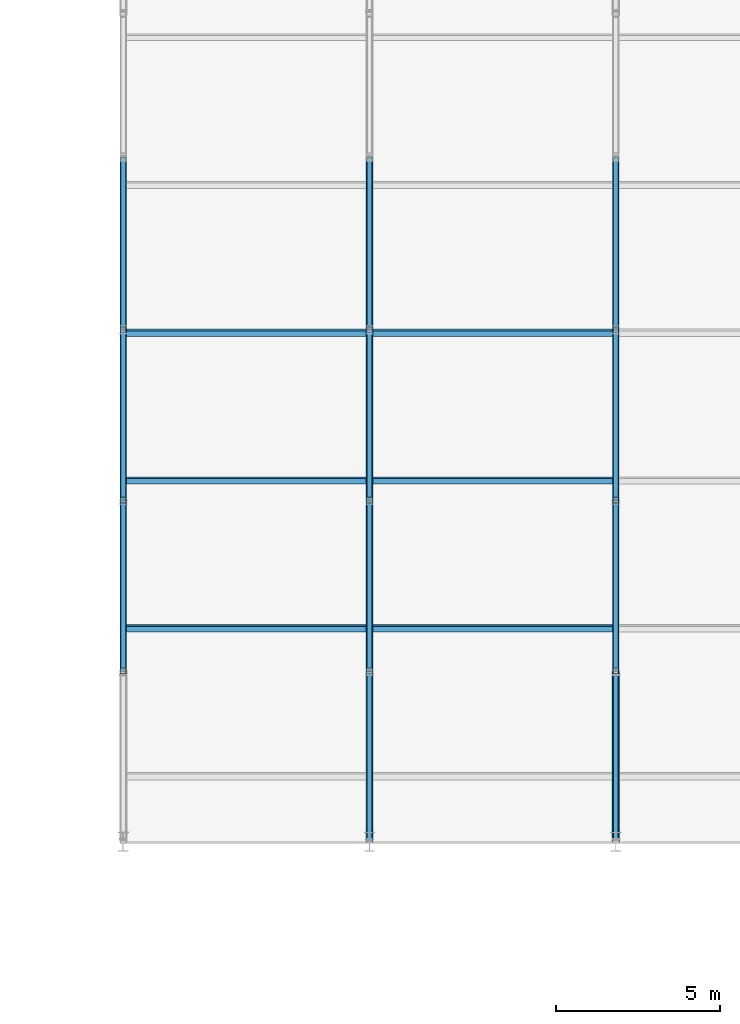
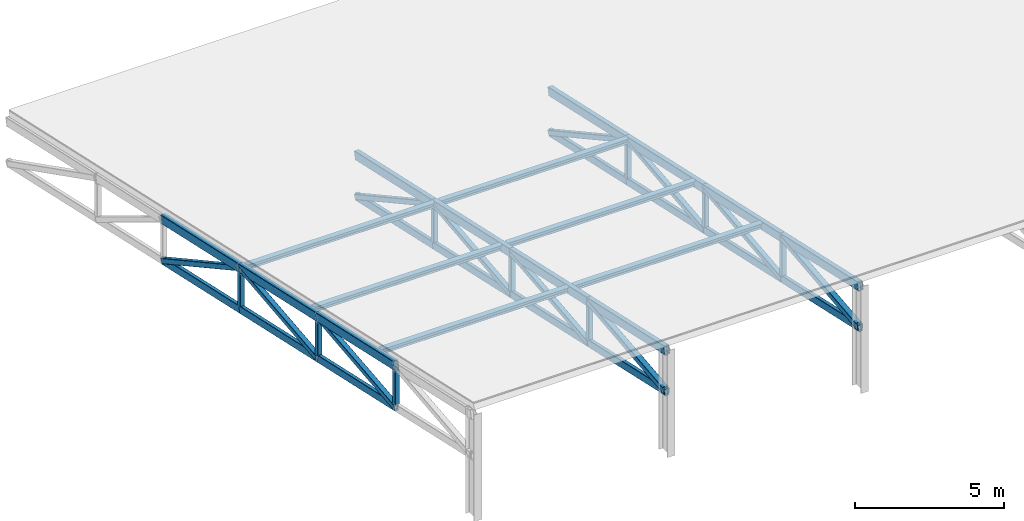
# One storey, part 30 of 77: 48 members.
"""IFC4 building model written with IfcOpenShell, lengths in metres."""

from ifc_helpers import new_model, si_unit, direction, frame, origin, origin_2d, place, context, subcontext, project, spatial, hollow_rectangle, i_section, extrude, material, material_profile, profile_set, type_object, element, save


model = new_model("IFC4")

# Units and contexts
model_context = context("Model", 3, precision=1e-05, world=origin(), true_north=direction((0.0, 1.0)))
body_context = subcontext(model_context, "Body", "Model", "MODEL_VIEW")
ifc_project = project(units=[si_unit("LENGTHUNIT", "METRE"), si_unit("AREAUNIT", "SQUARE_METRE"), si_unit("VOLUMEUNIT", "CUBIC_METRE"), si_unit("PLANEANGLEUNIT", "RADIAN"), si_unit("MASSUNIT", "GRAM", prefix="KILO")], contexts=[model_context])

# Site, building, storey
site_placement = place(None, origin())
site = spatial("IfcSite", under=ifc_project, at=site_placement, CompositionType="ELEMENT")
building_placement = place(site_placement, origin())
building = spatial("IfcBuilding", under=site, at=building_placement, Name="Yukiwa Park Conservatory and Herbarium", CompositionType="ELEMENT")
storey_placement = place(building_placement, frame((0.0, 0.0, 13.199951171875)))
storey = spatial("IfcBuildingStorey", under=building, at=storey_placement, Name="L03", CompositionType="ELEMENT", Elevation=13.199951171875)

# Members
ifc_material_1 = material(Name="Steel Q355D", Category="steel")
ifc_material_profile_1 = material_profile(ifc_material_1, hollow_rectangle(XDim=0.14990234375, YDim=0.300048828125, WallThickness=0.010009765625, InnerFilletRadius=0.010009765625, OuterFilletRadius=0.02001953125, at=origin_2d()), Name="RHS 300x150x10")
ifc_profile_set_1 = profile_set([ifc_material_profile_1], Name="Steel Q355D")
member_type_1 = type_object("IfcMemberType", Name="MB-AU-CHORD300", PredefinedType="CHORD", material=ifc_profile_set_1)
member_1_placement = place(storey_placement, frame((22.5, 78.006103515625, 2.491943359375), z_axis=(0.0, 0.976241016926, -0.216687509727), x_axis=(-1.0, 0.0, 0.0)))
element("IfcMember", 1, at=member_1_placement, inside=storey, type_object=member_type_1, Name="Auditorium roof truss 2 bottom chord 1", PredefinedType="CHORD", context=body_context, shape_type="SweptSolid", body=[
    extrude(hollow_rectangle(XDim=0.14990234375, YDim=0.300048828125, WallThickness=0.010009765625, InnerFilletRadius=0.010009765625, OuterFilletRadius=0.02001953125, at=origin_2d()), origin(), (0.0, 0.0, 1.0), 5.3203125),
])
member_2_placement = place(storey_placement, frame((22.5, 83.199951171875, 1.339111328125), z_axis=(0.0, 0.976294792683, -0.216445091838), x_axis=(-1.0, 0.0, 0.0)))
element("IfcMember", 2, at=member_2_placement, inside=storey, type_object=member_type_1, Name="Auditorium roof truss 2 bottom chord 2", PredefinedType="CHORD", context=body_context, shape_type="SweptSolid", body=[
    extrude(hollow_rectangle(XDim=0.14990234375, YDim=0.300048828125, WallThickness=0.010009765625, InnerFilletRadius=0.010009765625, OuterFilletRadius=0.02001953125, at=origin_2d()), origin(), (0.0, 0.0, 1.0), 5.326171875),
])
member_3_placement = place(storey_placement, frame((22.5, 88.39990234375, 0.186279296875), z_axis=(0.0, 0.97629693996, -0.216435406126), x_axis=(-1.0, 0.0, 0.0)))
element("IfcMember", 3, at=member_3_placement, inside=storey, type_object=member_type_1, Name="Auditorium roof truss 2 bottom chord 3", PredefinedType="CHORD", context=body_context, shape_type="SweptSolid", body=[
    extrude(hollow_rectangle(XDim=0.14990234375, YDim=0.300048828125, WallThickness=0.010009765625, InnerFilletRadius=0.010009765625, OuterFilletRadius=0.02001953125, at=origin_2d()), origin(), (0.0, 0.0, 1.0), 5.326416015625),
])
member_4_placement = place(storey_placement, frame((22.5, 93.60009765625, -0.966552734375), z_axis=(0.0, 0.976294792683, -0.216445091838), x_axis=(-1.0, 0.0, 0.0)))
element("IfcMember", 4, at=member_4_placement, inside=storey, type_object=member_type_1, Name="Auditorium roof truss 2 bottom chord 4", PredefinedType="CHORD", context=body_context, shape_type="SweptSolid", body=[
    extrude(hollow_rectangle(XDim=0.14990234375, YDim=0.300048828125, WallThickness=0.010009765625, InnerFilletRadius=0.010009765625, OuterFilletRadius=0.02001953125, at=origin_2d()), origin(), (0.0, 0.0, 1.0), 5.326171875),
])
member_5_placement = place(storey_placement, frame((30.0, 78.006103515625, 2.491943359375), z_axis=(0.0, 0.976241016926, -0.216687509727), x_axis=(-1.0, 0.0, 0.0)))
element("IfcMember", 5, at=member_5_placement, inside=storey, type_object=member_type_1, Name="Auditorium roof truss 3 bottom chord 1", PredefinedType="CHORD", context=body_context, shape_type="SweptSolid", body=[
    extrude(hollow_rectangle(XDim=0.14990234375, YDim=0.300048828125, WallThickness=0.010009765625, InnerFilletRadius=0.010009765625, OuterFilletRadius=0.02001953125, at=origin_2d()), origin(), (0.0, 0.0, 1.0), 5.3203125),
])
member_6_placement = place(storey_placement, frame((30.0, 83.199951171875, 1.339111328125), z_axis=(0.0, 0.976294792683, -0.216445091838), x_axis=(-1.0, 0.0, 0.0)))
element("IfcMember", 6, at=member_6_placement, inside=storey, type_object=member_type_1, Name="Auditorium roof truss 3 bottom chord 2", PredefinedType="CHORD", context=body_context, shape_type="SweptSolid", body=[
    extrude(hollow_rectangle(XDim=0.14990234375, YDim=0.300048828125, WallThickness=0.010009765625, InnerFilletRadius=0.010009765625, OuterFilletRadius=0.02001953125, at=origin_2d()), origin(), (0.0, 0.0, 1.0), 5.326171875),
])
member_7_placement = place(storey_placement, frame((30.0, 88.39990234375, 0.186279296875), z_axis=(0.0, 0.97629693996, -0.216435406126), x_axis=(-1.0, 0.0, 0.0)))
element("IfcMember", 7, at=member_7_placement, inside=storey, type_object=member_type_1, Name="Auditorium roof truss 3 bottom chord 3", PredefinedType="CHORD", context=body_context, shape_type="SweptSolid", body=[
    extrude(hollow_rectangle(XDim=0.14990234375, YDim=0.300048828125, WallThickness=0.010009765625, InnerFilletRadius=0.010009765625, OuterFilletRadius=0.02001953125, at=origin_2d()), origin(), (0.0, 0.0, 1.0), 5.326416015625),
])
member_8_placement = place(storey_placement, frame((30.0, 93.60009765625, -0.966552734375), z_axis=(0.0, 0.976294792683, -0.216445091838), x_axis=(-1.0, 0.0, 0.0)))
element("IfcMember", 8, at=member_8_placement, inside=storey, type_object=member_type_1, Name="Auditorium roof truss 3 bottom chord 4", PredefinedType="CHORD", context=body_context, shape_type="SweptSolid", body=[
    extrude(hollow_rectangle(XDim=0.14990234375, YDim=0.300048828125, WallThickness=0.010009765625, InnerFilletRadius=0.010009765625, OuterFilletRadius=0.02001953125, at=origin_2d()), origin(), (0.0, 0.0, 1.0), 5.326171875),
])
ifc_material_2 = material(Name="Steel Q355D", Category="steel")
ifc_material_profile_2 = material_profile(ifc_material_2, hollow_rectangle(XDim=0.14990234375, YDim=0.300048828125, WallThickness=0.010009765625, InnerFilletRadius=0.010009765625, OuterFilletRadius=0.02001953125, at=origin_2d()), Name="RHS 300x150x10")
ifc_profile_set_2 = profile_set([ifc_material_profile_2], Name="Steel Q355D")
member_type_2 = type_object("IfcMemberType", Name="MB-AU-CHORD300-EXT", PredefinedType="CHORD", material=ifc_profile_set_2)
member_9_placement = place(storey_placement, frame((15.0, 83.199951171875, 1.339111328125), z_axis=(0.0, 0.976294792683, -0.216445091838), x_axis=(-1.0, 0.0, 0.0)))
element("IfcMember", 9, at=member_9_placement, inside=storey, type_object=member_type_2, Name="Auditorium roof truss 1 bottom chord 2", PredefinedType="CHORD", context=body_context, shape_type="SweptSolid", body=[
    extrude(hollow_rectangle(XDim=0.14990234375, YDim=0.300048828125, WallThickness=0.010009765625, InnerFilletRadius=0.010009765625, OuterFilletRadius=0.02001953125, at=origin_2d()), origin(), (0.0, 0.0, 1.0), 5.326171875),
])
member_10_placement = place(storey_placement, frame((15.0, 88.39990234375, 0.186279296875), z_axis=(0.0, 0.97629693996, -0.216435406126), x_axis=(-1.0, 0.0, 0.0)))
element("IfcMember", 10, at=member_10_placement, inside=storey, type_object=member_type_2, Name="Auditorium roof truss 1 bottom chord 3", PredefinedType="CHORD", context=body_context, shape_type="SweptSolid", body=[
    extrude(hollow_rectangle(XDim=0.14990234375, YDim=0.300048828125, WallThickness=0.010009765625, InnerFilletRadius=0.010009765625, OuterFilletRadius=0.02001953125, at=origin_2d()), origin(), (0.0, 0.0, 1.0), 5.326416015625),
])
member_11_placement = place(storey_placement, frame((15.0, 93.60009765625, -0.966552734375), z_axis=(0.0, 0.976294792683, -0.216445091838), x_axis=(-1.0, 0.0, 0.0)))
element("IfcMember", 11, at=member_11_placement, inside=storey, type_object=member_type_2, Name="Auditorium roof truss 1 bottom chord 4", PredefinedType="CHORD", context=body_context, shape_type="SweptSolid", body=[
    extrude(hollow_rectangle(XDim=0.14990234375, YDim=0.300048828125, WallThickness=0.010009765625, InnerFilletRadius=0.010009765625, OuterFilletRadius=0.02001953125, at=origin_2d()), origin(), (0.0, 0.0, 1.0), 5.326171875),
])
ifc_material_3 = material(Name="Steel Q355D", Category="steel")
ifc_material_profile_3 = material_profile(ifc_material_3, hollow_rectangle(XDim=0.199951171875, YDim=0.35009765625, WallThickness=0.011962890625, InnerFilletRadius=0.011962890625, OuterFilletRadius=0.02392578125, at=origin_2d()), Name="RHS 350x200x12")
ifc_profile_set_3 = profile_set([ifc_material_profile_3], Name="Steel Q355D")
member_type_3 = type_object("IfcMemberType", Name="MB-AU-CHORD350", PredefinedType="CHORD", material=ifc_profile_set_3)
member_12_placement = place(storey_placement, frame((22.5, 78.006103515625, 4.19189453125), z_axis=(0.0, 0.976241016926, -0.216687509727), x_axis=(-1.0, 0.0, 0.0)))
element("IfcMember", 12, at=member_12_placement, inside=storey, type_object=member_type_3, Name="Auditorium roof truss 2 top chord 1", PredefinedType="CHORD", context=body_context, shape_type="SweptSolid", body=[
    extrude(hollow_rectangle(XDim=0.199951171875, YDim=0.35009765625, WallThickness=0.011962890625, InnerFilletRadius=0.011962890625, OuterFilletRadius=0.02392578125, at=origin_2d()), origin(), (0.0, 0.0, 1.0), 5.3203125),
])
member_13_placement = place(storey_placement, frame((22.5, 83.199951171875, 3.0390625), z_axis=(0.0, 0.976294792683, -0.216445091838), x_axis=(-1.0, 0.0, 0.0)))
element("IfcMember", 13, at=member_13_placement, inside=storey, type_object=member_type_3, Name="Auditorium roof truss 2 top chord 2", PredefinedType="CHORD", context=body_context, shape_type="SweptSolid", body=[
    extrude(hollow_rectangle(XDim=0.199951171875, YDim=0.35009765625, WallThickness=0.011962890625, InnerFilletRadius=0.011962890625, OuterFilletRadius=0.02392578125, at=origin_2d()), origin(), (0.0, 0.0, 1.0), 5.326171875),
])
member_14_placement = place(storey_placement, frame((22.5, 88.39990234375, 1.88623046875), z_axis=(0.0, 0.97629693996, -0.216435406126), x_axis=(-1.0, 0.0, 0.0)))
element("IfcMember", 14, at=member_14_placement, inside=storey, type_object=member_type_3, Name="Auditorium roof truss 2 top chord 3", PredefinedType="CHORD", context=body_context, shape_type="SweptSolid", body=[
    extrude(hollow_rectangle(XDim=0.199951171875, YDim=0.35009765625, WallThickness=0.011962890625, InnerFilletRadius=0.011962890625, OuterFilletRadius=0.02392578125, at=origin_2d()), origin(), (0.0, 0.0, 1.0), 5.326416015625),
])
member_15_placement = place(storey_placement, frame((22.5, 93.60009765625, 0.7333984375), z_axis=(0.0, 0.976294792683, -0.216445091838), x_axis=(-1.0, 0.0, 0.0)))
element("IfcMember", 15, at=member_15_placement, inside=storey, type_object=member_type_3, Name="Auditorium roof truss 2 top chord 4", PredefinedType="CHORD", context=body_context, shape_type="SweptSolid", body=[
    extrude(hollow_rectangle(XDim=0.199951171875, YDim=0.35009765625, WallThickness=0.011962890625, InnerFilletRadius=0.011962890625, OuterFilletRadius=0.02392578125, at=origin_2d()), origin(), (0.0, 0.0, 1.0), 5.326171875),
])
member_16_placement = place(storey_placement, frame((30.0, 78.006103515625, 4.19189453125), z_axis=(0.0, 0.976241016926, -0.216687509727), x_axis=(-1.0, 0.0, 0.0)))
element("IfcMember", 16, at=member_16_placement, inside=storey, type_object=member_type_3, Name="Auditorium roof truss 3 top chord 1", PredefinedType="CHORD", context=body_context, shape_type="SweptSolid", body=[
    extrude(hollow_rectangle(XDim=0.199951171875, YDim=0.35009765625, WallThickness=0.011962890625, InnerFilletRadius=0.011962890625, OuterFilletRadius=0.02392578125, at=origin_2d()), origin(), (0.0, 0.0, 1.0), 5.3203125),
])
member_17_placement = place(storey_placement, frame((30.0, 83.199951171875, 3.0390625), z_axis=(0.0, 0.976294792683, -0.216445091838), x_axis=(-1.0, 0.0, 0.0)))
element("IfcMember", 17, at=member_17_placement, inside=storey, type_object=member_type_3, Name="Auditorium roof truss 3 top chord 2", PredefinedType="CHORD", context=body_context, shape_type="SweptSolid", body=[
    extrude(hollow_rectangle(XDim=0.199951171875, YDim=0.35009765625, WallThickness=0.011962890625, InnerFilletRadius=0.011962890625, OuterFilletRadius=0.02392578125, at=origin_2d()), origin(), (0.0, 0.0, 1.0), 5.326171875),
])
member_18_placement = place(storey_placement, frame((30.0, 88.39990234375, 1.88623046875), z_axis=(0.0, 0.97629693996, -0.216435406126), x_axis=(-1.0, 0.0, 0.0)))
element("IfcMember", 18, at=member_18_placement, inside=storey, type_object=member_type_3, Name="Auditorium roof truss 3 top chord 3", PredefinedType="CHORD", context=body_context, shape_type="SweptSolid", body=[
    extrude(hollow_rectangle(XDim=0.199951171875, YDim=0.35009765625, WallThickness=0.011962890625, InnerFilletRadius=0.011962890625, OuterFilletRadius=0.02392578125, at=origin_2d()), origin(), (0.0, 0.0, 1.0), 5.326416015625),
])
member_19_placement = place(storey_placement, frame((30.0, 93.60009765625, 0.7333984375), z_axis=(0.0, 0.976294792683, -0.216445091838), x_axis=(-1.0, 0.0, 0.0)))
element("IfcMember", 19, at=member_19_placement, inside=storey, type_object=member_type_3, Name="Auditorium roof truss 3 top chord 4", PredefinedType="CHORD", context=body_context, shape_type="SweptSolid", body=[
    extrude(hollow_rectangle(XDim=0.199951171875, YDim=0.35009765625, WallThickness=0.011962890625, InnerFilletRadius=0.011962890625, OuterFilletRadius=0.02392578125, at=origin_2d()), origin(), (0.0, 0.0, 1.0), 5.326171875),
])
ifc_material_4 = material(Name="Steel Q355D", Category="steel")
ifc_material_profile_4 = material_profile(ifc_material_4, hollow_rectangle(XDim=0.199951171875, YDim=0.35009765625, WallThickness=0.011962890625, InnerFilletRadius=0.011962890625, OuterFilletRadius=0.02392578125, at=origin_2d()), Name="RHS 350x200x12")
ifc_profile_set_4 = profile_set([ifc_material_profile_4], Name="Steel Q355D")
member_type_4 = type_object("IfcMemberType", Name="MB-AU-CHORD350-EXT", PredefinedType="CHORD", material=ifc_profile_set_4)
member_20_placement = place(storey_placement, frame((15.0, 83.199951171875, 3.0390625), z_axis=(0.0, 0.976294792683, -0.216445091838), x_axis=(-1.0, 0.0, 0.0)))
element("IfcMember", 20, at=member_20_placement, inside=storey, type_object=member_type_4, Name="Auditorium roof truss 1 top chord 2", PredefinedType="CHORD", context=body_context, shape_type="SweptSolid", body=[
    extrude(hollow_rectangle(XDim=0.199951171875, YDim=0.35009765625, WallThickness=0.011962890625, InnerFilletRadius=0.011962890625, OuterFilletRadius=0.02392578125, at=origin_2d()), origin(), (0.0, 0.0, 1.0), 5.326171875),
])
member_21_placement = place(storey_placement, frame((15.0, 88.39990234375, 1.88623046875), z_axis=(0.0, 0.97629693996, -0.216435406126), x_axis=(-1.0, 0.0, 0.0)))
element("IfcMember", 21, at=member_21_placement, inside=storey, type_object=member_type_4, Name="Auditorium roof truss 1 top chord 3", PredefinedType="CHORD", context=body_context, shape_type="SweptSolid", body=[
    extrude(hollow_rectangle(XDim=0.199951171875, YDim=0.35009765625, WallThickness=0.011962890625, InnerFilletRadius=0.011962890625, OuterFilletRadius=0.02392578125, at=origin_2d()), origin(), (0.0, 0.0, 1.0), 5.326416015625),
])
member_22_placement = place(storey_placement, frame((15.0, 93.60009765625, 0.7333984375), z_axis=(0.0, 0.976294792683, -0.216445091838), x_axis=(-1.0, 0.0, 0.0)))
element("IfcMember", 22, at=member_22_placement, inside=storey, type_object=member_type_4, Name="Auditorium roof truss 1 top chord 4", PredefinedType="CHORD", context=body_context, shape_type="SweptSolid", body=[
    extrude(hollow_rectangle(XDim=0.199951171875, YDim=0.35009765625, WallThickness=0.011962890625, InnerFilletRadius=0.011962890625, OuterFilletRadius=0.02392578125, at=origin_2d()), origin(), (0.0, 0.0, 1.0), 5.326171875),
])
ifc_material_5 = material(Name="Steel Q355D", Category="steel")
ifc_material_profile_5 = material_profile(ifc_material_5, hollow_rectangle(XDim=0.199951171875, YDim=0.199951171875, WallThickness=0.010009765625, InnerFilletRadius=0.010009765625, OuterFilletRadius=0.02001953125, at=origin_2d()), Name="SHS 200x200x10")
ifc_profile_set_5 = profile_set([ifc_material_profile_5], Name="Steel Q355D")
member_type_5 = type_object("IfcMemberType", Name="MB-AU-DIAG200", PredefinedType="BRACE", material=ifc_profile_set_5)
member_23_placement = place(storey_placement, frame((22.5, 83.199951171875, 1.339111328125), z_axis=(0.0, 0.994510313019, 0.10463860329), x_axis=(-1.0, 0.0, 0.0)))
element("IfcMember", 23, at=member_23_placement, inside=storey, type_object=member_type_5, Name="Auditorium roof truss 2 web diagonal 2", PredefinedType="BRACE", context=body_context, shape_type="SweptSolid", body=[
    extrude(hollow_rectangle(XDim=0.199951171875, YDim=0.199951171875, WallThickness=0.010009765625, InnerFilletRadius=0.010009765625, OuterFilletRadius=0.02001953125, at=origin_2d()), origin(), (0.0, 0.0, 1.0), 5.228759765625),
])
member_24_placement = place(storey_placement, frame((22.5, 88.39990234375, 0.186279296875), z_axis=(0.0, 0.994510824234, 0.104633744465), x_axis=(-1.0, 0.0, 0.0)))
element("IfcMember", 24, at=member_24_placement, inside=storey, type_object=member_type_5, Name="Auditorium roof truss 2 web diagonal 3", PredefinedType="BRACE", context=body_context, shape_type="SweptSolid", body=[
    extrude(hollow_rectangle(XDim=0.199951171875, YDim=0.199951171875, WallThickness=0.010009765625, InnerFilletRadius=0.010009765625, OuterFilletRadius=0.02001953125, at=origin_2d()), origin(), (0.0, 0.0, 1.0), 5.22900390625),
])
member_25_placement = place(storey_placement, frame((22.5, 93.60009765625, 0.7333984375), z_axis=(0.0, 0.876727303121, -0.480987771115), x_axis=(-1.0, 0.0, 0.0)))
element("IfcMember", 25, at=member_25_placement, inside=storey, type_object=member_type_5, Name="Auditorium roof truss 2 web diagonal 4", PredefinedType="BRACE", context=body_context, shape_type="SweptSolid", body=[
    extrude(hollow_rectangle(XDim=0.199951171875, YDim=0.199951171875, WallThickness=0.010009765625, InnerFilletRadius=0.010009765625, OuterFilletRadius=0.02001953125, at=origin_2d()), origin(), (0.0, 0.0, 1.0), 5.93115234375),
])
member_26_placement = place(storey_placement, frame((30.0, 83.199951171875, 1.339111328125), z_axis=(0.0, 0.994510313019, 0.10463860329), x_axis=(-1.0, 0.0, 0.0)))
element("IfcMember", 26, at=member_26_placement, inside=storey, type_object=member_type_5, Name="Auditorium roof truss 3 web diagonal 2", PredefinedType="BRACE", context=body_context, shape_type="SweptSolid", body=[
    extrude(hollow_rectangle(XDim=0.199951171875, YDim=0.199951171875, WallThickness=0.010009765625, InnerFilletRadius=0.010009765625, OuterFilletRadius=0.02001953125, at=origin_2d()), origin(), (0.0, 0.0, 1.0), 5.228759765625),
])
member_27_placement = place(storey_placement, frame((30.0, 88.39990234375, 0.186279296875), z_axis=(0.0, 0.994510824234, 0.104633744465), x_axis=(-1.0, 0.0, 0.0)))
element("IfcMember", 27, at=member_27_placement, inside=storey, type_object=member_type_5, Name="Auditorium roof truss 3 web diagonal 3", PredefinedType="BRACE", context=body_context, shape_type="SweptSolid", body=[
    extrude(hollow_rectangle(XDim=0.199951171875, YDim=0.199951171875, WallThickness=0.010009765625, InnerFilletRadius=0.010009765625, OuterFilletRadius=0.02001953125, at=origin_2d()), origin(), (0.0, 0.0, 1.0), 5.22900390625),
])
member_28_placement = place(storey_placement, frame((30.0, 93.60009765625, 0.7333984375), z_axis=(0.0, 0.876727303121, -0.480987771115), x_axis=(-1.0, 0.0, 0.0)))
element("IfcMember", 28, at=member_28_placement, inside=storey, type_object=member_type_5, Name="Auditorium roof truss 3 web diagonal 4", PredefinedType="BRACE", context=body_context, shape_type="SweptSolid", body=[
    extrude(hollow_rectangle(XDim=0.199951171875, YDim=0.199951171875, WallThickness=0.010009765625, InnerFilletRadius=0.010009765625, OuterFilletRadius=0.02001953125, at=origin_2d()), origin(), (0.0, 0.0, 1.0), 5.93115234375),
])
ifc_material_6 = material(Name="Steel Q355D", Category="steel")
ifc_material_profile_6 = material_profile(ifc_material_6, hollow_rectangle(XDim=0.199951171875, YDim=0.199951171875, WallThickness=0.010009765625, InnerFilletRadius=0.010009765625, OuterFilletRadius=0.02001953125, at=origin_2d()), Name="SHS 200x200x10")
ifc_profile_set_6 = profile_set([ifc_material_profile_6], Name="Steel Q355D")
member_type_6 = type_object("IfcMemberType", Name="MB-AU-DIAG200-EXT", PredefinedType="BRACE", material=ifc_profile_set_6)
member_29_placement = place(storey_placement, frame((15.0, 83.199951171875, 1.339111328125), z_axis=(0.0, 0.994510313019, 0.10463860329), x_axis=(-1.0, 0.0, 0.0)))
element("IfcMember", 29, at=member_29_placement, inside=storey, type_object=member_type_6, Name="Auditorium roof truss 1 web diagonal 2", PredefinedType="BRACE", context=body_context, shape_type="SweptSolid", body=[
    extrude(hollow_rectangle(XDim=0.199951171875, YDim=0.199951171875, WallThickness=0.010009765625, InnerFilletRadius=0.010009765625, OuterFilletRadius=0.02001953125, at=origin_2d()), origin(), (0.0, 0.0, 1.0), 5.228759765625),
])
member_30_placement = place(storey_placement, frame((15.0, 88.39990234375, 0.186279296875), z_axis=(0.0, 0.994510824234, 0.104633744465), x_axis=(-1.0, 0.0, 0.0)))
element("IfcMember", 30, at=member_30_placement, inside=storey, type_object=member_type_6, Name="Auditorium roof truss 1 web diagonal 3", PredefinedType="BRACE", context=body_context, shape_type="SweptSolid", body=[
    extrude(hollow_rectangle(XDim=0.199951171875, YDim=0.199951171875, WallThickness=0.010009765625, InnerFilletRadius=0.010009765625, OuterFilletRadius=0.02001953125, at=origin_2d()), origin(), (0.0, 0.0, 1.0), 5.22900390625),
])
member_31_placement = place(storey_placement, frame((15.0, 93.60009765625, 0.7333984375), z_axis=(0.0, 0.876727303121, -0.480987771115), x_axis=(-1.0, 0.0, 0.0)))
element("IfcMember", 31, at=member_31_placement, inside=storey, type_object=member_type_6, Name="Auditorium roof truss 1 web diagonal 4", PredefinedType="BRACE", context=body_context, shape_type="SweptSolid", body=[
    extrude(hollow_rectangle(XDim=0.199951171875, YDim=0.199951171875, WallThickness=0.010009765625, InnerFilletRadius=0.010009765625, OuterFilletRadius=0.02001953125, at=origin_2d()), origin(), (0.0, 0.0, 1.0), 5.93115234375),
])
ifc_material_7 = material(Name="Steel Q355D", Category="steel")
ifc_material_profile_7 = material_profile(ifc_material_7, hollow_rectangle(XDim=0.219970703125, YDim=0.219970703125, WallThickness=0.010009765625, InnerFilletRadius=0.010009765625, OuterFilletRadius=0.02001953125, at=origin_2d()), Name="SHS 220x220x10")
ifc_profile_set_7 = profile_set([ifc_material_profile_7], Name="Steel Q355D")
member_type_7 = type_object("IfcMemberType", Name="MB-AU-DIAG220", PredefinedType="BRACE", material=ifc_profile_set_7)
for number, where, z_axis, x_axis, name in (
    (32, (22.5, 78.011962890625, 2.491943359375), (0.0, 0.994485175972, 0.104877236675), (-1.0, 0.0, 0.0), "Auditorium roof truss 2 web diagonal 1"),
    (33, (30.0, 78.011962890625, 2.491943359375), (0.0, 0.994485175972, 0.104877236675), (-1.0, 0.0, 0.0), "Auditorium roof truss 3 web diagonal 1"),
):
    element("IfcMember", number, at=place(storey_placement, frame(where, z_axis=z_axis, x_axis=x_axis)), inside=storey, type_object=member_type_7, Name=name, PredefinedType="BRACE", context=body_context, shape_type="SweptSolid", body=[
        extrude(hollow_rectangle(XDim=0.219970703125, YDim=0.219970703125, WallThickness=0.010009765625, InnerFilletRadius=0.010009765625, OuterFilletRadius=0.02001953125, at=origin_2d()), origin(), (0.0, 0.0, 1.0), 5.216796875),
    ])
ifc_material_8 = material(Name="Steel Q355D", Category="steel")
ifc_material_profile_8 = material_profile(ifc_material_8, hollow_rectangle(XDim=0.179931640625, YDim=0.179931640625, WallThickness=0.008056640625, InnerFilletRadius=0.008056640625, OuterFilletRadius=0.01611328125, at=origin_2d()), Name="SHS 180x180x8")
ifc_profile_set_8 = profile_set([ifc_material_profile_8], Name="Steel Q355D")
member_type_8 = type_object("IfcMemberType", Name="MB-AU-WEB180", PredefinedType="MEMBER", material=ifc_profile_set_8)
for number, where, z_axis, x_axis, name in (
    (34, (15.0, 83.199951171875, 1.484130859375), (0.0, 0.0, 1.0), (1.0, 0.0, 0.0), "Auditorium roof truss 1 vertical web 1"),
    (35, (15.0, 88.39990234375, 0.331298828125), (0.0, 0.0, 1.0), (1.0, 0.0, 0.0), "Auditorium roof truss 1 vertical web 2"),
    (36, (15.0, 93.60009765625, -0.821533203125), (0.0, 0.0, 1.0), (1.0, 0.0, 0.0), "Auditorium roof truss 1 vertical web 3"),
    (37, (22.5, 83.199951171875, 1.484130859375), (0.0, 0.0, 1.0), (1.0, 0.0, 0.0), "Auditorium roof truss 2 vertical web 1"),
    (38, (22.5, 88.39990234375, 0.331298828125), (0.0, 0.0, 1.0), (1.0, 0.0, 0.0), "Auditorium roof truss 2 vertical web 2"),
    (39, (22.5, 93.60009765625, -0.821533203125), (0.0, 0.0, 1.0), (1.0, 0.0, 0.0), "Auditorium roof truss 2 vertical web 3"),
    (40, (30.0, 83.199951171875, 1.484130859375), (0.0, 0.0, 1.0), (1.0, 0.0, 0.0), "Auditorium roof truss 3 vertical web 1"),
    (41, (30.0, 88.39990234375, 0.331298828125), (0.0, 0.0, 1.0), (1.0, 0.0, 0.0), "Auditorium roof truss 3 vertical web 2"),
    (42, (30.0, 93.60009765625, -0.821533203125), (0.0, 0.0, 1.0), (1.0, 0.0, 0.0), "Auditorium roof truss 3 vertical web 3"),
):
    element("IfcMember", number, at=place(storey_placement, frame(where, z_axis=z_axis, x_axis=x_axis)), inside=storey, type_object=member_type_8, Name=name, PredefinedType="MEMBER", context=body_context, shape_type="SweptSolid", body=[
        extrude(hollow_rectangle(XDim=0.179931640625, YDim=0.179931640625, WallThickness=0.008056640625, InnerFilletRadius=0.008056640625, OuterFilletRadius=0.01611328125, at=origin_2d()), origin(), (0.0, 0.0, 1.0), 1.385009765625),
    ])
ifc_material_9 = material(Name="Steel Q355D", Category="steel")
ifc_material_profile_9 = material_profile(ifc_material_9, i_section(OverallWidth=0.175048828125, OverallDepth=0.243896484375, WebThickness=0.007080078125, FlangeThickness=0.010986328125, FilletRadius=0.01611328125, at=origin_2d()), Name="HM 244x175x7x11")
ifc_profile_set_9 = profile_set([ifc_material_profile_9], Name="Steel Q355D")
member_type_9 = type_object("IfcMemberType", Name="MB-RF-PURL244", PredefinedType="PURLIN", material=ifc_profile_set_9)
for number, where, z_axis, x_axis, name in (
    (43, (15.094970703125, 84.5, 2.805908203125), (1.0, 0.0, 0.0), (0.0, 0.97629600712, 0.216439613938), "Auditorium roof purlin 1.84"),
    (44, (15.094970703125, 89.0, 1.808349609375), (1.0, 0.0, 0.0), (0.0, 0.97629600712, 0.216439613938), "Auditorium roof purlin 1.89"),
    (45, (15.094970703125, 93.5, 0.810546875), (1.0, 0.0, 0.0), (0.0, 0.97629600712, 0.216439613938), "Auditorium roof purlin 1.93"),
    (46, (22.594970703125, 84.5, 2.805908203125), (1.0, 0.0, 0.0), (0.0, 0.97629600712, 0.216439613938), "Auditorium roof purlin 2.84"),
    (47, (22.594970703125, 89.0, 1.808349609375), (1.0, 0.0, 0.0), (0.0, 0.97629600712, 0.216439613938), "Auditorium roof purlin 2.89"),
    (48, (22.594970703125, 93.5, 0.810546875), (1.0, 0.0, 0.0), (0.0, 0.97629600712, 0.216439613938), "Auditorium roof purlin 2.93"),
):
    element("IfcMember", number, at=place(storey_placement, frame(where, z_axis=z_axis, x_axis=x_axis)), inside=storey, type_object=member_type_9, Name=name, PredefinedType="PURLIN", context=body_context, shape_type="SweptSolid", body=[
        extrude(i_section(OverallWidth=0.175048828125, OverallDepth=0.243896484375, WebThickness=0.007080078125, FlangeThickness=0.010986328125, FilletRadius=0.01611328125, at=origin_2d()), origin(), (0.0, 0.0, 1.0), 7.31005859375),
    ])

save(model, "model.ifc")
